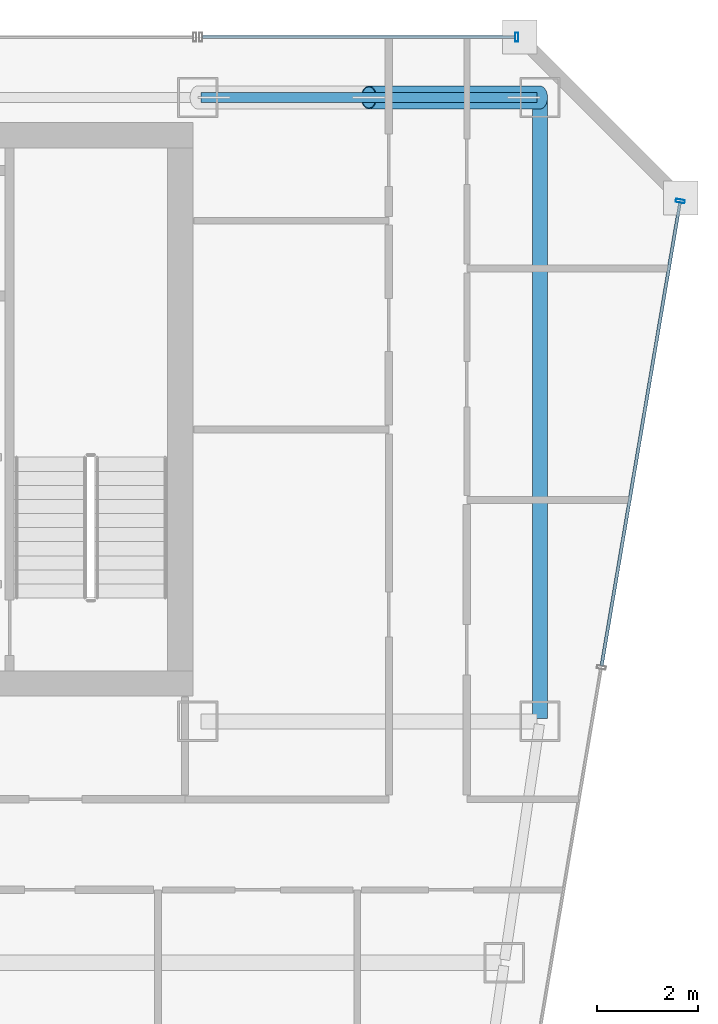
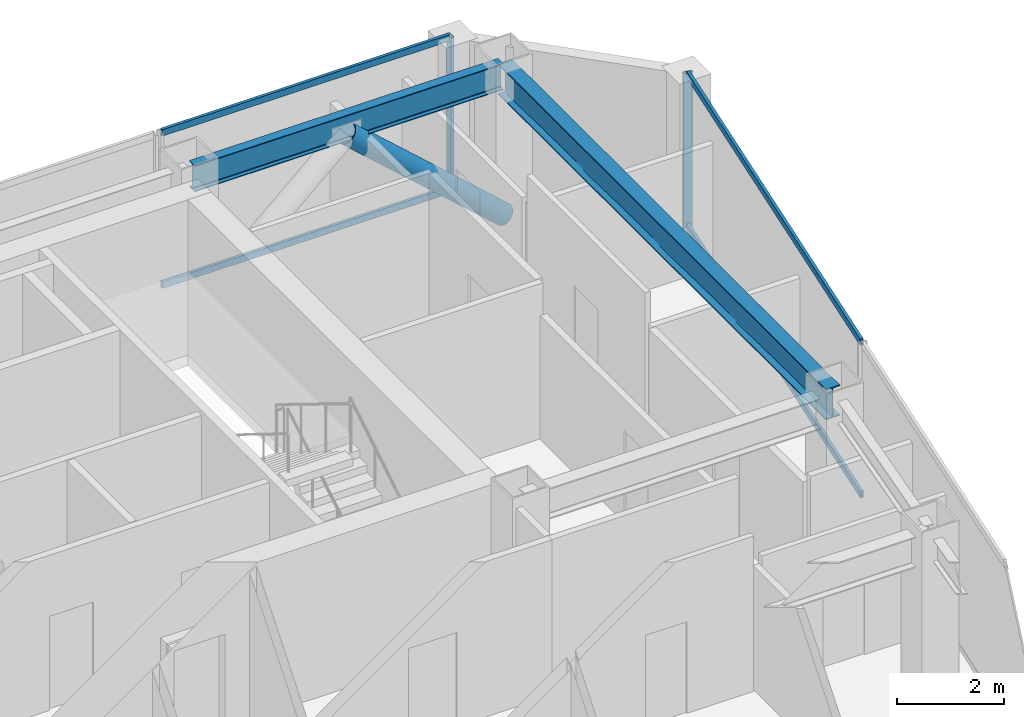
# One storey, part 27 of 36: 7 members, 2 beams, 2 elements without a shape of their own.
"""IFC4 building model written with IfcOpenShell, lengths in metres."""

from ifc_helpers import new_model, si_unit, direction, frame, origin, origin_2d, place, context, subcontext, project, spatial, hollow_rectangle, hollow_circle, i_section, extrude, material, material_profile, profile_set, type_object, element, aggregate, save


model = new_model("IFC4")

# Units and contexts
model_context = context("Model", 3, precision=1e-05, world=origin(), true_north=direction((0.0, 1.0)))
body_context = subcontext(model_context, "Body", "Model", "MODEL_VIEW")
ifc_project = project(units=[si_unit("LENGTHUNIT", "METRE"), si_unit("AREAUNIT", "SQUARE_METRE"), si_unit("VOLUMEUNIT", "CUBIC_METRE"), si_unit("PLANEANGLEUNIT", "RADIAN"), si_unit("MASSUNIT", "GRAM", prefix="KILO")], contexts=[model_context])

# Site, building, storey
site_placement = place(None, origin())
site = spatial("IfcSite", under=ifc_project, at=site_placement, CompositionType="ELEMENT")
building_placement = place(site_placement, origin())
building = spatial("IfcBuilding", under=site, at=building_placement, Name="Saevonmaru Cultural Tower", CompositionType="ELEMENT")
storey_placement = place(building_placement, frame((0.0, 0.0, 201.800048828125)))
storey = spatial("IfcBuildingStorey", under=building, at=storey_placement, Name="L46", CompositionType="ELEMENT", Elevation=201.800048828125)

# Beams
ifc_material_1 = material(Name="Steel SM355", Category="steel")
ifc_material_profile_1 = material_profile(ifc_material_1, i_section(OverallWidth=0.300048828125, OverallDepth=0.699951171875, WebThickness=0.012939453125, FlangeThickness=0.02392578125, FilletRadius=0.02587890625, at=origin_2d()), Name="H-700x300x13x24")
ifc_profile_set_1 = profile_set([ifc_material_profile_1], Name="Steel SM355")
beam_type_1 = type_object("IfcBeamType", Name="BM-G-H700", PredefinedType="BEAM", material=ifc_profile_set_1)
beam_1_placement = place(storey_placement, frame((53.199951171875, 54.739990234375, 3.199951171875), z_axis=(0.0, -1.0, 0.0), x_axis=(1.0, 0.0, 0.0)))
element("IfcBeam", 1, at=beam_1_placement, inside=storey, type_object=beam_type_1, Name="L46 Spine Transverse Girder E", PredefinedType="BEAM", context=body_context, shape_type="SweptSolid", body=[
    extrude(i_section(OverallWidth=0.300048828125, OverallDepth=0.699951171875, WebThickness=0.012939453125, FlangeThickness=0.02392578125, FilletRadius=0.02587890625, at=origin_2d()), origin(), (0.0, 0.0, 1.0), 12.280029296875),
])
ifc_material_profile_2 = material_profile(ifc_material_1, i_section(OverallWidth=0.199951171875, OverallDepth=0.60009765625, WebThickness=0.010986328125, FlangeThickness=0.01708984375, FilletRadius=0.02197265625, at=origin_2d()), Name="H-600x200x11x17")
ifc_profile_set_2 = profile_set([ifc_material_profile_2], Name="Steel SM355")
beam_type_2 = type_object("IfcBeamType", Name="BM-SP-H600", PredefinedType="SPANDREL", material=ifc_profile_set_2)
beam_2_placement = place(storey_placement, frame((46.4599609375, 54.800048828125, 3.25), z_axis=(1.0, 0.0, 0.0), x_axis=(0.0, 1.0, 0.0)))
element("IfcBeam", 2, at=beam_2_placement, inside=storey, type_object=beam_type_2, Name="L46 North Spine Girder 5", PredefinedType="SPANDREL", context=body_context, shape_type="SweptSolid", body=[
    extrude(i_section(OverallWidth=0.199951171875, OverallDepth=0.60009765625, WebThickness=0.010986328125, FlangeThickness=0.01708984375, FilletRadius=0.02197265625, at=origin_2d()), origin(), (0.0, 0.0, 1.0), 6.679931640625),
])

# Member
ifc_material_2 = material(Name="Steel SM420", Category="steel")
ifc_material_profile_3 = material_profile(ifc_material_2, hollow_circle(Radius=0.228515625, WallThickness=0.02001953125, at=origin_2d()), Name="CHS-457.2x20")
ifc_profile_set_3 = profile_set([ifc_material_profile_3], Name="Steel SM420")
member_type_1 = type_object("IfcMemberType", Name="MB-PBR-CHS457", PredefinedType="BRACE", material=ifc_profile_set_3)
member_1_placement = place(storey_placement, frame((53.199951171875, 54.800048828125, 0.02001953125), z_axis=(-0.744366945704, 0.0, 0.667770806597), x_axis=(0.0, -1.0, 0.0)))
element("IfcMember", 3, at=member_1_placement, inside=storey, type_object=member_type_1, Name="L46 Perimeter Braced-Tube Diagonal EN2", PredefinedType="BRACE", context=body_context, shape_type="SweptSolid", body=[
    extrude(hollow_circle(Radius=0.228515625, WallThickness=0.02001953125, at=origin_2d()), origin(), (0.0, 0.0, 1.0), 4.567626953125),
])

# Curtain wall, member
ifc_material_3 = material(Name="Satin Bronze Anodised Aluminium", Category="aluminium")
curtain_wall_type = type_object("IfcCurtainWallType", Name="CW-TYP-B", PredefinedType="NOTDEFINED", material=ifc_material_3)
curtain_wall_1_placement = place(storey_placement, origin())
curtain_wall_1 = element("IfcCurtainWall", 4, at=curtain_wall_1_placement, inside=storey, type_object=curtain_wall_type, Name="L46 Unitised Curtain Wall E8", PredefinedType="NOTDEFINED")
ifc_material_profile_4 = material_profile(ifc_material_3, hollow_rectangle(XDim=0.06494140625, YDim=0.179931640625, WallThickness=0.00390625, at=origin_2d()), Name="ALU-MULL-180x65x4")
ifc_profile_set_4 = profile_set([ifc_material_profile_4], Name="Satin Bronze Anodised Aluminium")
member_type_2 = type_object("IfcMemberType", Name="ML-CW-180x65", PredefinedType="MULLION", material=ifc_profile_set_4)
member_2_placement = place(storey_placement, frame((55.989990234375, 52.74072265625, 0.0), z_axis=(0.0, 0.0, 1.0), x_axis=(0.16692169721, 0.985970155228, 0.0)))
member_2 = element("IfcMember", 5, at=member_2_placement, type_object=member_type_2, Name="CW-TW-L46-E8 mullion 5", PredefinedType="MULLION", context=body_context, shape_type="SweptSolid", body=[
    extrude(hollow_rectangle(XDim=0.06494140625, YDim=0.179931640625, WallThickness=0.00390625, at=origin_2d()), origin(), (0.0, 0.0, 1.0), 3.550048828125),
])

curtain_wall_2_placement = place(storey_placement, origin())
curtain_wall_2 = element("IfcCurtainWall", 6, at=curtain_wall_2_placement, inside=storey, type_object=curtain_wall_type, Name="L46 East Braced Bay Spandrel Curtain Wall E10A", PredefinedType="NOTDEFINED")
member_3_placement = place(storey_placement, frame((52.739990234375, 56.0, 0.0), z_axis=(0.0, 0.0, 1.0), x_axis=(-1.0, 0.0, 0.0)))
member_3 = element("IfcMember", 7, at=member_3_placement, type_object=member_type_2, Name="CW-TW-L46-E10A mullion 1", PredefinedType="MULLION", context=body_context, shape_type="SweptSolid", body=[
    extrude(hollow_rectangle(XDim=0.06494140625, YDim=0.179931640625, WallThickness=0.00390625, at=origin_2d()), origin(), (0.0, 0.0, 1.0), 3.550048828125),
])

# Member
ifc_material_profile_5 = material_profile(ifc_material_3, hollow_rectangle(XDim=0.06494140625, YDim=0.14990234375, WallThickness=0.00390625, at=origin_2d()), Name="ALU-TRAN-150x65x4")
ifc_profile_set_5 = profile_set([ifc_material_profile_5], Name="Satin Bronze Anodised Aluminium")
member_type_3 = type_object("IfcMemberType", Name="TR-CW-150x65", PredefinedType="USERDEFINED", material=ifc_profile_set_5)
member_4_placement = place(storey_placement, frame((54.426025390625, 43.50244140625, 0.032470703125), z_axis=(0.166921263871, 0.985970228591, 0.0), x_axis=(-0.985970228591, 0.166921263871, 0.0)))
member_4 = element("IfcMember", 8, at=member_4_placement, type_object=member_type_3, Name="CW-TW-L46-E8 transom 4.1", ObjectType="TRANSOM", PredefinedType="USERDEFINED", context=body_context, shape_type="SweptSolid", body=[
    extrude(hollow_rectangle(XDim=0.06494140625, YDim=0.14990234375, WallThickness=0.00390625, at=origin_2d()), origin(), (0.0, 0.0, 1.0), 9.33740234375),
])

member_5_placement = place(storey_placement, frame((54.426025390625, 43.50244140625, 3.517333984375), z_axis=(0.166921263871, 0.985970228591, 0.0), x_axis=(-0.985970228591, 0.166921263871, 0.0)))
member_5 = element("IfcMember", 9, at=member_5_placement, type_object=member_type_3, Name="CW-TW-L46-E8 transom 4.2", ObjectType="TRANSOM", PredefinedType="USERDEFINED", context=body_context, shape_type="SweptSolid", body=[
    extrude(hollow_rectangle(XDim=0.06494140625, YDim=0.14990234375, WallThickness=0.00390625, at=origin_2d()), origin(), (0.0, 0.0, 1.0), 9.33740234375),
])

aggregate(curtain_wall_1, [member_2, member_4, member_5])

member_6_placement = place(storey_placement, frame((52.70751953125, 56.0, 0.032470703125), z_axis=(-1.0, 0.0, 0.0), x_axis=(0.0, -1.0, 0.0)))
member_6 = element("IfcMember", 10, at=member_6_placement, type_object=member_type_3, Name="CW-TW-L46-E10A transom 1.1", ObjectType="TRANSOM", PredefinedType="USERDEFINED", context=body_context, shape_type="SweptSolid", body=[
    extrude(hollow_rectangle(XDim=0.06494140625, YDim=0.14990234375, WallThickness=0.00390625, at=origin_2d()), origin(), (0.0, 0.0, 1.0), 6.215087890625),
])

member_7_placement = place(storey_placement, frame((52.70751953125, 56.0, 3.517333984375), z_axis=(-1.0, 0.0, 0.0), x_axis=(0.0, -1.0, 0.0)))
member_7 = element("IfcMember", 11, at=member_7_placement, type_object=member_type_3, Name="CW-TW-L46-E10A transom 1.2", ObjectType="TRANSOM", PredefinedType="USERDEFINED", context=body_context, shape_type="SweptSolid", body=[
    extrude(hollow_rectangle(XDim=0.06494140625, YDim=0.14990234375, WallThickness=0.00390625, at=origin_2d()), origin(), (0.0, 0.0, 1.0), 6.215087890625),
])

aggregate(curtain_wall_2, [member_3, member_6, member_7])

save(model, "model.ifc")
